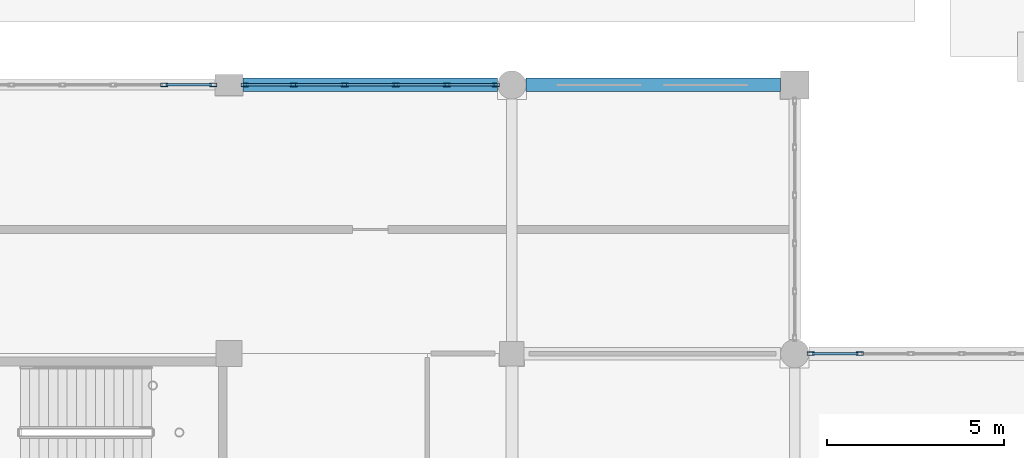
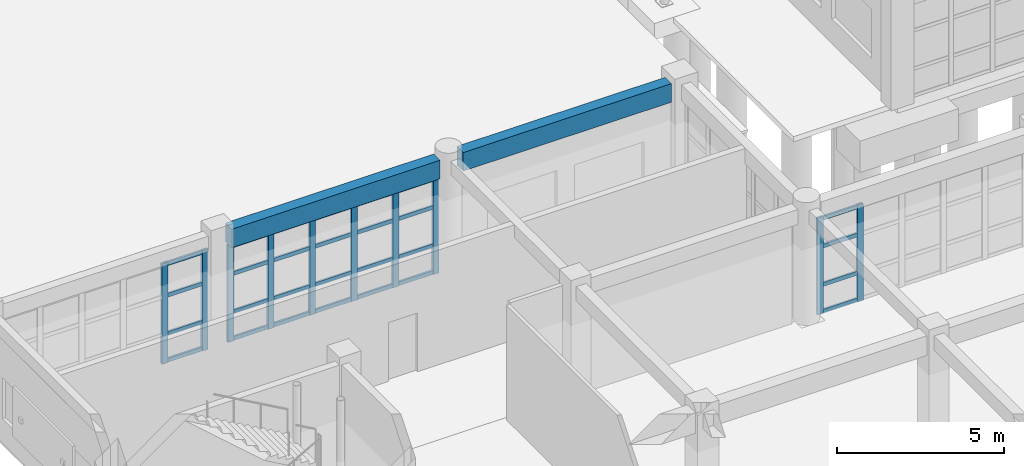
# One storey, part 84 of 166: 38 members, 2 beams, 3 elements without a shape of their own.
"""IFC4 building model written with IfcOpenShell, lengths in metres."""

from ifc_helpers import new_model, si_unit, direction, frame, origin, origin_2d, place, context, subcontext, project, spatial, rectangle, hollow_rectangle, extrude, material, material_profile, profile_set, type_object, element, aggregate, save


model = new_model("IFC4")

# Units and contexts
model_context = context("Model", 3, precision=1e-05, world=origin(), true_north=direction((0.0, 1.0)))
body_context = subcontext(model_context, "Body", "Model", "MODEL_VIEW")
ifc_project = project(units=[si_unit("LENGTHUNIT", "METRE"), si_unit("AREAUNIT", "SQUARE_METRE"), si_unit("VOLUMEUNIT", "CUBIC_METRE"), si_unit("PLANEANGLEUNIT", "RADIAN"), si_unit("MASSUNIT", "GRAM", prefix="KILO")], contexts=[model_context])

# Site, building, storey
site_placement = place(None, origin())
site = spatial("IfcSite", under=ifc_project, at=site_placement, CompositionType="ELEMENT")
building_placement = place(site_placement, origin())
building = spatial("IfcBuilding", under=site, at=building_placement, Name="Kharva Crest Polytechnic", CompositionType="ELEMENT")
storey_placement = place(building_placement, origin())
storey = spatial("IfcBuildingStorey", under=building, at=storey_placement, Name="L00", CompositionType="ELEMENT", Elevation=0.0)

# Curtain wall, members
ifc_material_1 = material(Name="Tempered insulated glass", Category="glass")
curtain_wall_type = type_object("IfcCurtainWallType", Name="CW-SYS-REFECTORY", PredefinedType="USERDEFINED", material=ifc_material_1)
curtain_wall_1_placement = place(storey_placement, origin())
curtain_wall_1 = element("IfcCurtainWall", 1, at=curtain_wall_1_placement, inside=storey, type_object=curtain_wall_type, Name="L00 Glazed Curtain Wall CW-006", ObjectType="CURTAIN WALL", PredefinedType="USERDEFINED")
ifc_material_2 = material(Name="Steel S355", Category="steel")
ifc_material_profile_1 = material_profile(ifc_material_2, hollow_rectangle(XDim=0.10009765625, YDim=0.199951171875, WallThickness=0.00634765625, at=origin_2d()), Name="RHS 200X100X6.3")
ifc_profile_set_1 = profile_set([ifc_material_profile_1], Name="Steel S355")
member_type_1 = type_object("IfcMemberType", Name="CWM-RHS200X100", PredefinedType="MULLION", material=ifc_profile_set_1)
member_1_placement = place(storey_placement, frame((136.344970703125, 38.0, 0.0), z_axis=(0.0, 0.0, 1.0), x_axis=(0.0, -1.0, 0.0)))
member_1 = element("IfcMember", 2, at=member_1_placement, type_object=member_type_1, Name="CW-006 mullion 1", PredefinedType="MULLION", context=body_context, shape_type="SweptSolid", body=[
    extrude(hollow_rectangle(XDim=0.10009765625, YDim=0.199951171875, WallThickness=0.00634765625, at=origin_2d()), origin(), (0.0, 0.0, 1.0), 3.5400390625),
])
member_2_placement = place(storey_placement, frame((134.955078125, 38.0, 0.0), z_axis=(0.0, 0.0, 1.0), x_axis=(0.0, -1.0, 0.0)))
member_2 = element("IfcMember", 3, at=member_2_placement, type_object=member_type_1, Name="CW-006 mullion 2", PredefinedType="MULLION", context=body_context, shape_type="SweptSolid", body=[
    extrude(hollow_rectangle(XDim=0.10009765625, YDim=0.199951171875, WallThickness=0.00634765625, at=origin_2d()), origin(), (0.0, 0.0, 1.0), 3.5400390625),
])
member_3_placement = place(storey_placement, frame((133.514892578125, 38.0, 0.0), z_axis=(0.0, 0.0, 1.0), x_axis=(0.0, -1.0, 0.0)))
member_3 = element("IfcMember", 4, at=member_3_placement, type_object=member_type_1, Name="CW-006 mullion 3", PredefinedType="MULLION", context=body_context, shape_type="SweptSolid", body=[
    extrude(hollow_rectangle(XDim=0.10009765625, YDim=0.199951171875, WallThickness=0.00634765625, at=origin_2d()), origin(), (0.0, 0.0, 1.0), 3.5400390625),
])
member_4_placement = place(storey_placement, frame((132.074951171875, 38.0, 0.0), z_axis=(0.0, 0.0, 1.0), x_axis=(0.0, -1.0, 0.0)))
member_4 = element("IfcMember", 5, at=member_4_placement, type_object=member_type_1, Name="CW-006 mullion 4", PredefinedType="MULLION", context=body_context, shape_type="SweptSolid", body=[
    extrude(hollow_rectangle(XDim=0.10009765625, YDim=0.199951171875, WallThickness=0.00634765625, at=origin_2d()), origin(), (0.0, 0.0, 1.0), 3.5400390625),
])
member_5_placement = place(storey_placement, frame((130.635009765625, 38.0, 0.0), z_axis=(0.0, 0.0, 1.0), x_axis=(0.0, -1.0, 0.0)))
member_5 = element("IfcMember", 6, at=member_5_placement, type_object=member_type_1, Name="CW-006 mullion 5", PredefinedType="MULLION", context=body_context, shape_type="SweptSolid", body=[
    extrude(hollow_rectangle(XDim=0.10009765625, YDim=0.199951171875, WallThickness=0.00634765625, at=origin_2d()), origin(), (0.0, 0.0, 1.0), 3.5400390625),
])
member_6_placement = place(storey_placement, frame((129.2451171875, 38.0, 0.0), z_axis=(0.0, 0.0, 1.0), x_axis=(0.0, -1.0, 0.0)))
member_6 = element("IfcMember", 7, at=member_6_placement, type_object=member_type_1, Name="CW-006 mullion 6", PredefinedType="MULLION", context=body_context, shape_type="SweptSolid", body=[
    extrude(hollow_rectangle(XDim=0.10009765625, YDim=0.199951171875, WallThickness=0.00634765625, at=origin_2d()), origin(), (0.0, 0.0, 1.0), 3.5400390625),
])

curtain_wall_2_placement = place(storey_placement, origin())
curtain_wall_2 = element("IfcCurtainWall", 8, at=curtain_wall_2_placement, inside=storey, type_object=curtain_wall_type, Name="L00 Glazed Curtain Wall CW-007", ObjectType="CURTAIN WALL", PredefinedType="USERDEFINED")
member_7_placement = place(storey_placement, frame((128.35498046875, 38.0, 0.0), z_axis=(0.0, 0.0, 1.0), x_axis=(0.0, -1.0, 0.0)))
member_7 = element("IfcMember", 9, at=member_7_placement, type_object=member_type_1, Name="CW-007 mullion 1", PredefinedType="MULLION", context=body_context, shape_type="SweptSolid", body=[
    extrude(hollow_rectangle(XDim=0.10009765625, YDim=0.199951171875, WallThickness=0.00634765625, at=origin_2d()), origin(), (0.0, 0.0, 1.0), 3.669921875),
])
member_8_placement = place(storey_placement, frame((126.965087890625, 38.0, 0.0), z_axis=(0.0, 0.0, 1.0), x_axis=(0.0, -1.0, 0.0)))
member_8 = element("IfcMember", 10, at=member_8_placement, type_object=member_type_1, Name="CW-007 mullion 2", PredefinedType="MULLION", context=body_context, shape_type="SweptSolid", body=[
    extrude(hollow_rectangle(XDim=0.10009765625, YDim=0.199951171875, WallThickness=0.00634765625, at=origin_2d()), origin(), (0.0, 0.0, 1.0), 3.669921875),
])

curtain_wall_3_placement = place(storey_placement, origin())
curtain_wall_3 = element("IfcCurtainWall", 11, at=curtain_wall_3_placement, inside=storey, type_object=curtain_wall_type, Name="L00 Glazed Curtain Wall CW-013", ObjectType="CURTAIN WALL", PredefinedType="USERDEFINED")
member_9_placement = place(storey_placement, frame((146.64306640625, 30.39990234375, 0.0), z_axis=(0.0, 0.0, 1.0), x_axis=(0.0, -1.0, 0.0)))
member_9 = element("IfcMember", 12, at=member_9_placement, type_object=member_type_1, Name="CW-013 mullion 5", PredefinedType="MULLION", context=body_context, shape_type="SweptSolid", body=[
    extrude(hollow_rectangle(XDim=0.10009765625, YDim=0.199951171875, WallThickness=0.00634765625, at=origin_2d()), origin(), (0.0, 0.0, 1.0), 3.5400390625),
])
member_10_placement = place(storey_placement, frame((145.2548828125, 30.39990234375, 0.0), z_axis=(0.0, 0.0, 1.0), x_axis=(0.0, -1.0, 0.0)))
member_10 = element("IfcMember", 13, at=member_10_placement, type_object=member_type_1, Name="CW-013 mullion 6", PredefinedType="MULLION", context=body_context, shape_type="SweptSolid", body=[
    extrude(hollow_rectangle(XDim=0.10009765625, YDim=0.199951171875, WallThickness=0.00634765625, at=origin_2d()), origin(), (0.0, 0.0, 1.0), 3.5400390625),
])

# Member
ifc_material_profile_2 = material_profile(ifc_material_2, hollow_rectangle(XDim=0.070068359375, YDim=0.139892578125, WallThickness=0.00390625, at=origin_2d()), Name="RHS 140X70X4.0")
ifc_profile_set_2 = profile_set([ifc_material_profile_2], Name="Steel S355")
member_type_2 = type_object("IfcMemberType", Name="CWT-RHS140X70", PredefinedType="USERDEFINED", material=ifc_profile_set_2)
member_11_placement = place(storey_placement, frame((136.294921875, 38.0, 0.070068359375), z_axis=(-1.0, 0.0, 0.0), x_axis=(0.0, -1.0, 0.0)))
member_11 = element("IfcMember", 14, at=member_11_placement, type_object=member_type_2, Name="CW-006 transom 1.1", ObjectType="TRANSOM", PredefinedType="USERDEFINED", context=body_context, shape_type="SweptSolid", body=[
    extrude(hollow_rectangle(XDim=0.070068359375, YDim=0.139892578125, WallThickness=0.00390625, at=origin_2d()), origin(), (0.0, 0.0, 1.0), 1.2900390625),
])

member_12_placement = place(storey_placement, frame((136.294921875, 38.0, 1.050048828125), z_axis=(-1.0, 0.0, 0.0), x_axis=(0.0, -1.0, 0.0)))
member_12 = element("IfcMember", 15, at=member_12_placement, type_object=member_type_2, Name="CW-006 transom 1.2", ObjectType="TRANSOM", PredefinedType="USERDEFINED", context=body_context, shape_type="SweptSolid", body=[
    extrude(hollow_rectangle(XDim=0.070068359375, YDim=0.139892578125, WallThickness=0.00390625, at=origin_2d()), origin(), (0.0, 0.0, 1.0), 1.2900390625),
])

member_13_placement = place(storey_placement, frame((136.294921875, 38.0, 2.449951171875), z_axis=(-1.0, 0.0, 0.0), x_axis=(0.0, -1.0, 0.0)))
member_13 = element("IfcMember", 16, at=member_13_placement, type_object=member_type_2, Name="CW-006 transom 1.3", ObjectType="TRANSOM", PredefinedType="USERDEFINED", context=body_context, shape_type="SweptSolid", body=[
    extrude(hollow_rectangle(XDim=0.070068359375, YDim=0.139892578125, WallThickness=0.00390625, at=origin_2d()), origin(), (0.0, 0.0, 1.0), 1.2900390625),
])

member_14_placement = place(storey_placement, frame((136.294921875, 38.0, 3.469970703125), z_axis=(-1.0, 0.0, 0.0), x_axis=(0.0, -1.0, 0.0)))
member_14 = element("IfcMember", 17, at=member_14_placement, type_object=member_type_2, Name="CW-006 transom 1.4", ObjectType="TRANSOM", PredefinedType="USERDEFINED", context=body_context, shape_type="SweptSolid", body=[
    extrude(hollow_rectangle(XDim=0.070068359375, YDim=0.139892578125, WallThickness=0.00390625, at=origin_2d()), origin(), (0.0, 0.0, 1.0), 1.2900390625),
])

member_15_placement = place(storey_placement, frame((134.905029296875, 38.0, 0.070068359375), z_axis=(-1.0, 0.0, 0.0), x_axis=(0.0, -1.0, 0.0)))
member_15 = element("IfcMember", 18, at=member_15_placement, type_object=member_type_2, Name="CW-006 transom 2.1", ObjectType="TRANSOM", PredefinedType="USERDEFINED", context=body_context, shape_type="SweptSolid", body=[
    extrude(hollow_rectangle(XDim=0.070068359375, YDim=0.139892578125, WallThickness=0.00390625, at=origin_2d()), origin(), (0.0, 0.0, 1.0), 1.340087890625),
])

member_16_placement = place(storey_placement, frame((134.905029296875, 38.0, 1.050048828125), z_axis=(-1.0, 0.0, 0.0), x_axis=(0.0, -1.0, 0.0)))
member_16 = element("IfcMember", 19, at=member_16_placement, type_object=member_type_2, Name="CW-006 transom 2.2", ObjectType="TRANSOM", PredefinedType="USERDEFINED", context=body_context, shape_type="SweptSolid", body=[
    extrude(hollow_rectangle(XDim=0.070068359375, YDim=0.139892578125, WallThickness=0.00390625, at=origin_2d()), origin(), (0.0, 0.0, 1.0), 1.340087890625),
])

member_17_placement = place(storey_placement, frame((134.905029296875, 38.0, 2.449951171875), z_axis=(-1.0, 0.0, 0.0), x_axis=(0.0, -1.0, 0.0)))
member_17 = element("IfcMember", 20, at=member_17_placement, type_object=member_type_2, Name="CW-006 transom 2.3", ObjectType="TRANSOM", PredefinedType="USERDEFINED", context=body_context, shape_type="SweptSolid", body=[
    extrude(hollow_rectangle(XDim=0.070068359375, YDim=0.139892578125, WallThickness=0.00390625, at=origin_2d()), origin(), (0.0, 0.0, 1.0), 1.340087890625),
])

member_18_placement = place(storey_placement, frame((134.905029296875, 38.0, 3.469970703125), z_axis=(-1.0, 0.0, 0.0), x_axis=(0.0, -1.0, 0.0)))
member_18 = element("IfcMember", 21, at=member_18_placement, type_object=member_type_2, Name="CW-006 transom 2.4", ObjectType="TRANSOM", PredefinedType="USERDEFINED", context=body_context, shape_type="SweptSolid", body=[
    extrude(hollow_rectangle(XDim=0.070068359375, YDim=0.139892578125, WallThickness=0.00390625, at=origin_2d()), origin(), (0.0, 0.0, 1.0), 1.340087890625),
])

member_19_placement = place(storey_placement, frame((133.465087890625, 38.0, 0.070068359375), z_axis=(-1.0, 0.0, 0.0), x_axis=(0.0, -1.0, 0.0)))
member_19 = element("IfcMember", 22, at=member_19_placement, type_object=member_type_2, Name="CW-006 transom 3.1", ObjectType="TRANSOM", PredefinedType="USERDEFINED", context=body_context, shape_type="SweptSolid", body=[
    extrude(hollow_rectangle(XDim=0.070068359375, YDim=0.139892578125, WallThickness=0.00390625, at=origin_2d()), origin(), (0.0, 0.0, 1.0), 1.340087890625),
])

member_20_placement = place(storey_placement, frame((133.465087890625, 38.0, 1.050048828125), z_axis=(-1.0, 0.0, 0.0), x_axis=(0.0, -1.0, 0.0)))
member_20 = element("IfcMember", 23, at=member_20_placement, type_object=member_type_2, Name="CW-006 transom 3.2", ObjectType="TRANSOM", PredefinedType="USERDEFINED", context=body_context, shape_type="SweptSolid", body=[
    extrude(hollow_rectangle(XDim=0.070068359375, YDim=0.139892578125, WallThickness=0.00390625, at=origin_2d()), origin(), (0.0, 0.0, 1.0), 1.340087890625),
])

member_21_placement = place(storey_placement, frame((133.465087890625, 38.0, 2.449951171875), z_axis=(-1.0, 0.0, 0.0), x_axis=(0.0, -1.0, 0.0)))
member_21 = element("IfcMember", 24, at=member_21_placement, type_object=member_type_2, Name="CW-006 transom 3.3", ObjectType="TRANSOM", PredefinedType="USERDEFINED", context=body_context, shape_type="SweptSolid", body=[
    extrude(hollow_rectangle(XDim=0.070068359375, YDim=0.139892578125, WallThickness=0.00390625, at=origin_2d()), origin(), (0.0, 0.0, 1.0), 1.340087890625),
])

member_22_placement = place(storey_placement, frame((133.465087890625, 38.0, 3.469970703125), z_axis=(-1.0, 0.0, 0.0), x_axis=(0.0, -1.0, 0.0)))
member_22 = element("IfcMember", 25, at=member_22_placement, type_object=member_type_2, Name="CW-006 transom 3.4", ObjectType="TRANSOM", PredefinedType="USERDEFINED", context=body_context, shape_type="SweptSolid", body=[
    extrude(hollow_rectangle(XDim=0.070068359375, YDim=0.139892578125, WallThickness=0.00390625, at=origin_2d()), origin(), (0.0, 0.0, 1.0), 1.340087890625),
])

member_23_placement = place(storey_placement, frame((132.02490234375, 38.0, 0.070068359375), z_axis=(-1.0, 0.0, 0.0), x_axis=(0.0, -1.0, 0.0)))
member_23 = element("IfcMember", 26, at=member_23_placement, type_object=member_type_2, Name="CW-006 transom 4.1", ObjectType="TRANSOM", PredefinedType="USERDEFINED", context=body_context, shape_type="SweptSolid", body=[
    extrude(hollow_rectangle(XDim=0.070068359375, YDim=0.139892578125, WallThickness=0.00390625, at=origin_2d()), origin(), (0.0, 0.0, 1.0), 1.33984375),
])

member_24_placement = place(storey_placement, frame((132.02490234375, 38.0, 1.050048828125), z_axis=(-1.0, 0.0, 0.0), x_axis=(0.0, -1.0, 0.0)))
member_24 = element("IfcMember", 27, at=member_24_placement, type_object=member_type_2, Name="CW-006 transom 4.2", ObjectType="TRANSOM", PredefinedType="USERDEFINED", context=body_context, shape_type="SweptSolid", body=[
    extrude(hollow_rectangle(XDim=0.070068359375, YDim=0.139892578125, WallThickness=0.00390625, at=origin_2d()), origin(), (0.0, 0.0, 1.0), 1.33984375),
])

member_25_placement = place(storey_placement, frame((132.02490234375, 38.0, 2.449951171875), z_axis=(-1.0, 0.0, 0.0), x_axis=(0.0, -1.0, 0.0)))
member_25 = element("IfcMember", 28, at=member_25_placement, type_object=member_type_2, Name="CW-006 transom 4.3", ObjectType="TRANSOM", PredefinedType="USERDEFINED", context=body_context, shape_type="SweptSolid", body=[
    extrude(hollow_rectangle(XDim=0.070068359375, YDim=0.139892578125, WallThickness=0.00390625, at=origin_2d()), origin(), (0.0, 0.0, 1.0), 1.33984375),
])

member_26_placement = place(storey_placement, frame((132.02490234375, 38.0, 3.469970703125), z_axis=(-1.0, 0.0, 0.0), x_axis=(0.0, -1.0, 0.0)))
member_26 = element("IfcMember", 29, at=member_26_placement, type_object=member_type_2, Name="CW-006 transom 4.4", ObjectType="TRANSOM", PredefinedType="USERDEFINED", context=body_context, shape_type="SweptSolid", body=[
    extrude(hollow_rectangle(XDim=0.070068359375, YDim=0.139892578125, WallThickness=0.00390625, at=origin_2d()), origin(), (0.0, 0.0, 1.0), 1.33984375),
])

member_27_placement = place(storey_placement, frame((130.5849609375, 38.0, 0.070068359375), z_axis=(-1.0, 0.0, 0.0), x_axis=(0.0, -1.0, 0.0)))
member_27 = element("IfcMember", 30, at=member_27_placement, type_object=member_type_2, Name="CW-006 transom 5.1", ObjectType="TRANSOM", PredefinedType="USERDEFINED", context=body_context, shape_type="SweptSolid", body=[
    extrude(hollow_rectangle(XDim=0.070068359375, YDim=0.139892578125, WallThickness=0.00390625, at=origin_2d()), origin(), (0.0, 0.0, 1.0), 1.2900390625),
])

member_28_placement = place(storey_placement, frame((130.5849609375, 38.0, 1.050048828125), z_axis=(-1.0, 0.0, 0.0), x_axis=(0.0, -1.0, 0.0)))
member_28 = element("IfcMember", 31, at=member_28_placement, type_object=member_type_2, Name="CW-006 transom 5.2", ObjectType="TRANSOM", PredefinedType="USERDEFINED", context=body_context, shape_type="SweptSolid", body=[
    extrude(hollow_rectangle(XDim=0.070068359375, YDim=0.139892578125, WallThickness=0.00390625, at=origin_2d()), origin(), (0.0, 0.0, 1.0), 1.2900390625),
])

member_29_placement = place(storey_placement, frame((130.5849609375, 38.0, 2.449951171875), z_axis=(-1.0, 0.0, 0.0), x_axis=(0.0, -1.0, 0.0)))
member_29 = element("IfcMember", 32, at=member_29_placement, type_object=member_type_2, Name="CW-006 transom 5.3", ObjectType="TRANSOM", PredefinedType="USERDEFINED", context=body_context, shape_type="SweptSolid", body=[
    extrude(hollow_rectangle(XDim=0.070068359375, YDim=0.139892578125, WallThickness=0.00390625, at=origin_2d()), origin(), (0.0, 0.0, 1.0), 1.2900390625),
])

member_30_placement = place(storey_placement, frame((130.5849609375, 38.0, 3.469970703125), z_axis=(-1.0, 0.0, 0.0), x_axis=(0.0, -1.0, 0.0)))
member_30 = element("IfcMember", 33, at=member_30_placement, type_object=member_type_2, Name="CW-006 transom 5.4", ObjectType="TRANSOM", PredefinedType="USERDEFINED", context=body_context, shape_type="SweptSolid", body=[
    extrude(hollow_rectangle(XDim=0.070068359375, YDim=0.139892578125, WallThickness=0.00390625, at=origin_2d()), origin(), (0.0, 0.0, 1.0), 1.2900390625),
])

aggregate(curtain_wall_1, [member_1, member_2, member_3, member_4, member_5, member_6, member_11, member_12, member_13, member_14, member_15, member_16, member_17, member_18, member_19, member_20, member_21, member_22, member_23, member_24, member_25, member_26, member_27, member_28, member_29, member_30])

member_31_placement = place(storey_placement, frame((128.304931640625, 38.0, 0.070068359375), z_axis=(-1.0, 0.0, 0.0), x_axis=(0.0, -1.0, 0.0)))
member_31 = element("IfcMember", 34, at=member_31_placement, type_object=member_type_2, Name="CW-007 transom 1.1", ObjectType="TRANSOM", PredefinedType="USERDEFINED", context=body_context, shape_type="SweptSolid", body=[
    extrude(hollow_rectangle(XDim=0.070068359375, YDim=0.139892578125, WallThickness=0.00390625, at=origin_2d()), origin(), (0.0, 0.0, 1.0), 1.2900390625),
])

member_32_placement = place(storey_placement, frame((128.304931640625, 38.0, 1.050048828125), z_axis=(-1.0, 0.0, 0.0), x_axis=(0.0, -1.0, 0.0)))
member_32 = element("IfcMember", 35, at=member_32_placement, type_object=member_type_2, Name="CW-007 transom 1.2", ObjectType="TRANSOM", PredefinedType="USERDEFINED", context=body_context, shape_type="SweptSolid", body=[
    extrude(hollow_rectangle(XDim=0.070068359375, YDim=0.139892578125, WallThickness=0.00390625, at=origin_2d()), origin(), (0.0, 0.0, 1.0), 1.2900390625),
])

member_33_placement = place(storey_placement, frame((128.304931640625, 38.0, 2.449951171875), z_axis=(-1.0, 0.0, 0.0), x_axis=(0.0, -1.0, 0.0)))
member_33 = element("IfcMember", 36, at=member_33_placement, type_object=member_type_2, Name="CW-007 transom 1.3", ObjectType="TRANSOM", PredefinedType="USERDEFINED", context=body_context, shape_type="SweptSolid", body=[
    extrude(hollow_rectangle(XDim=0.070068359375, YDim=0.139892578125, WallThickness=0.00390625, at=origin_2d()), origin(), (0.0, 0.0, 1.0), 1.2900390625),
])

member_34_placement = place(storey_placement, frame((128.304931640625, 38.0, 3.60009765625), z_axis=(-1.0, 0.0, 0.0), x_axis=(0.0, -1.0, 0.0)))
member_34 = element("IfcMember", 37, at=member_34_placement, type_object=member_type_2, Name="CW-007 transom 1.4", ObjectType="TRANSOM", PredefinedType="USERDEFINED", context=body_context, shape_type="SweptSolid", body=[
    extrude(hollow_rectangle(XDim=0.070068359375, YDim=0.139892578125, WallThickness=0.00390625, at=origin_2d()), origin(), (0.0, 0.0, 1.0), 1.2900390625),
])

aggregate(curtain_wall_2, [member_7, member_8, member_31, member_32, member_33, member_34])

member_35_placement = place(storey_placement, frame((146.593017578125, 30.39990234375, 0.070068359375), z_axis=(-1.0, 0.0, 0.0), x_axis=(0.0, -1.0, 0.0)))
member_35 = element("IfcMember", 38, at=member_35_placement, type_object=member_type_2, Name="CW-013 transom 5.1", ObjectType="TRANSOM", PredefinedType="USERDEFINED", context=body_context, shape_type="SweptSolid", body=[
    extrude(hollow_rectangle(XDim=0.070068359375, YDim=0.139892578125, WallThickness=0.00390625, at=origin_2d()), origin(), (0.0, 0.0, 1.0), 1.2880859375),
])

member_36_placement = place(storey_placement, frame((146.593017578125, 30.39990234375, 1.050048828125), z_axis=(-1.0, 0.0, 0.0), x_axis=(0.0, -1.0, 0.0)))
member_36 = element("IfcMember", 39, at=member_36_placement, type_object=member_type_2, Name="CW-013 transom 5.2", ObjectType="TRANSOM", PredefinedType="USERDEFINED", context=body_context, shape_type="SweptSolid", body=[
    extrude(hollow_rectangle(XDim=0.070068359375, YDim=0.139892578125, WallThickness=0.00390625, at=origin_2d()), origin(), (0.0, 0.0, 1.0), 1.2880859375),
])

member_37_placement = place(storey_placement, frame((146.593017578125, 30.39990234375, 2.449951171875), z_axis=(-1.0, 0.0, 0.0), x_axis=(0.0, -1.0, 0.0)))
member_37 = element("IfcMember", 40, at=member_37_placement, type_object=member_type_2, Name="CW-013 transom 5.3", ObjectType="TRANSOM", PredefinedType="USERDEFINED", context=body_context, shape_type="SweptSolid", body=[
    extrude(hollow_rectangle(XDim=0.070068359375, YDim=0.139892578125, WallThickness=0.00390625, at=origin_2d()), origin(), (0.0, 0.0, 1.0), 1.2880859375),
])

member_38_placement = place(storey_placement, frame((146.593017578125, 30.39990234375, 3.469970703125), z_axis=(-1.0, 0.0, 0.0), x_axis=(0.0, -1.0, 0.0)))
member_38 = element("IfcMember", 41, at=member_38_placement, type_object=member_type_2, Name="CW-013 transom 5.4", ObjectType="TRANSOM", PredefinedType="USERDEFINED", context=body_context, shape_type="SweptSolid", body=[
    extrude(hollow_rectangle(XDim=0.070068359375, YDim=0.139892578125, WallThickness=0.00390625, at=origin_2d()), origin(), (0.0, 0.0, 1.0), 1.2880859375),
])

aggregate(curtain_wall_3, [member_9, member_10, member_35, member_36, member_37, member_38])

# Beams
ifc_material_3 = material(Name="Concrete C35/45", Category="concrete")
ifc_material_profile_3 = material_profile(ifc_material_3, rectangle(XDim=0.3798828125, YDim=0.679931640625, at=origin_2d()), Name="RECT 380 X 680")
ifc_profile_set_3 = profile_set([ifc_material_profile_3], Name="Concrete C35/45")
beam_type = type_object("IfcBeamType", Name="SP-RC-380X680", PredefinedType="SPANDREL", material=ifc_profile_set_3)
beam_1_placement = place(storey_placement, frame((129.18994140625, 38.0, 3.8798828125), z_axis=(1.0, 0.0, 0.0), x_axis=(0.0, 1.0, 0.0)))
element("IfcBeam", 42, at=beam_1_placement, inside=storey, type_object=beam_type, Name="L00 Beam F/17-18", PredefinedType="SPANDREL", context=body_context, shape_type="SweptSolid", body=[
    extrude(rectangle(XDim=0.3798828125, YDim=0.679931640625, at=origin_2d()), origin(), (0.0, 0.0, 1.0), 7.2099609375),
])
beam_2_placement = place(storey_placement, frame((137.199951171875, 38.0, 3.8798828125), z_axis=(1.0, 0.0, 0.0), x_axis=(0.0, 1.0, 0.0)))
element("IfcBeam", 43, at=beam_2_placement, inside=storey, type_object=beam_type, Name="L00 Beam F/18-19", PredefinedType="SPANDREL", context=body_context, shape_type="SweptSolid", body=[
    extrude(rectangle(XDim=0.3798828125, YDim=0.679931640625, at=origin_2d()), origin(), (0.0, 0.0, 1.0), 7.199951171875),
])

save(model, "model.ifc")
